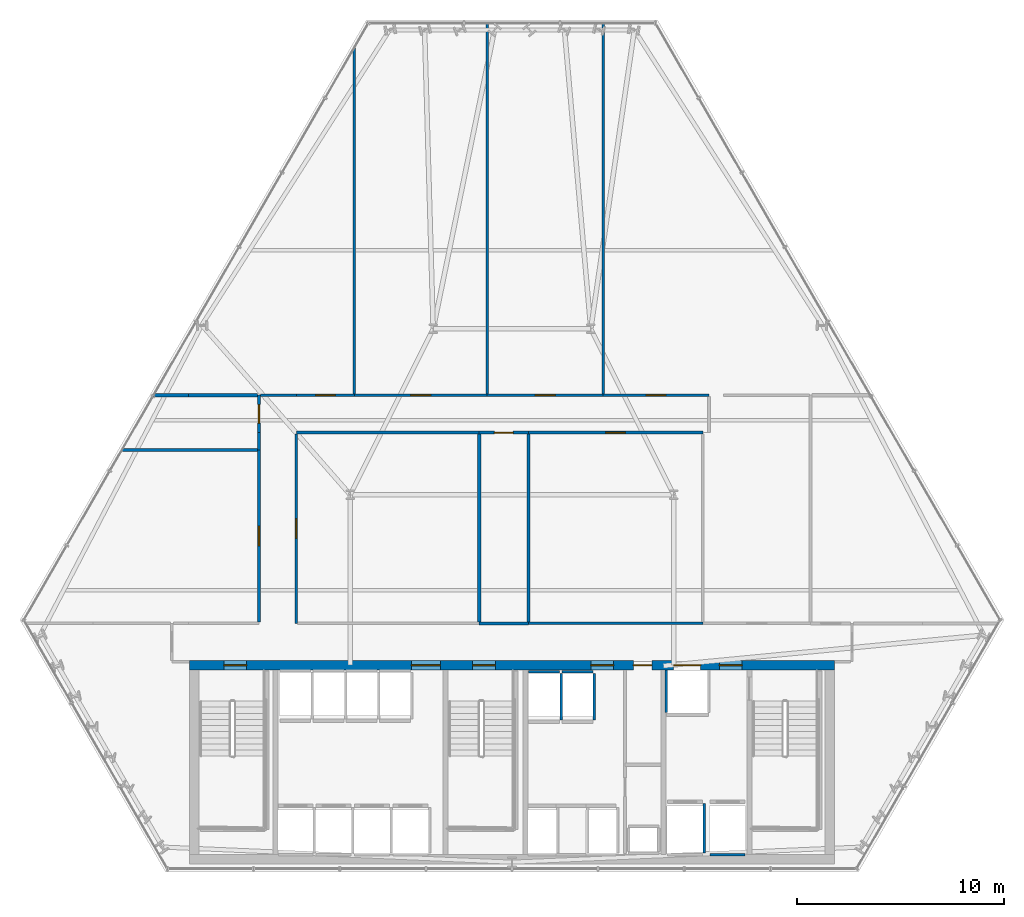
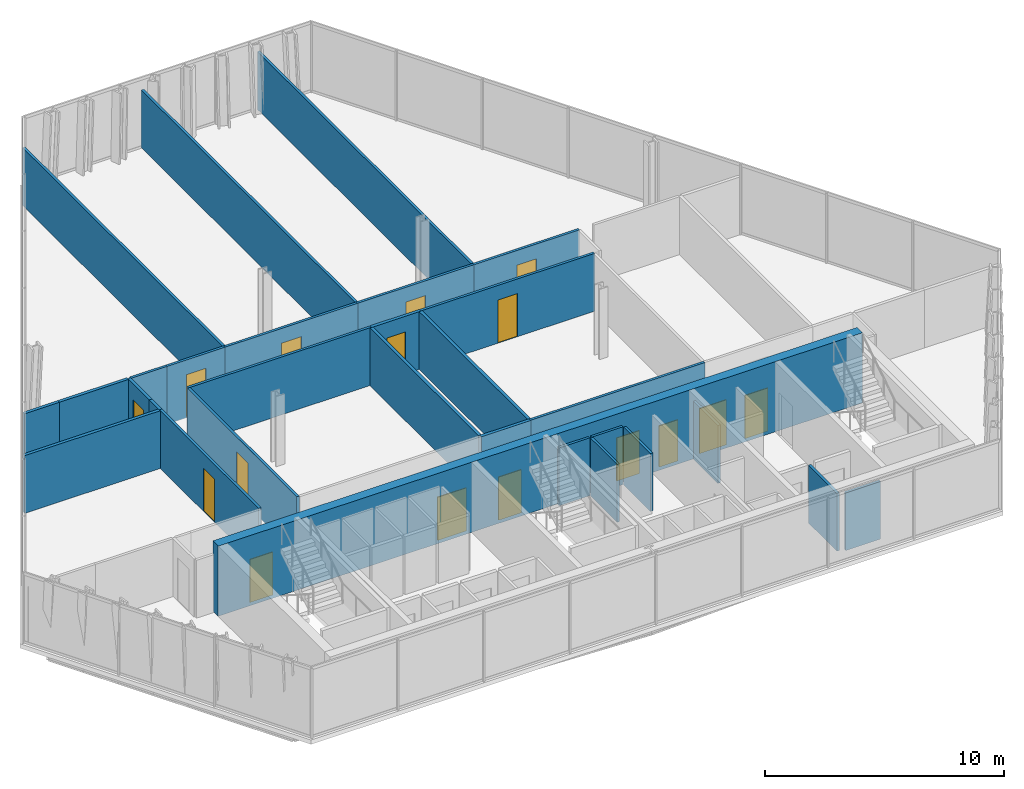
# One storey, part 28 of 32: 30 walls, 16 doors, 16 openings.
"""IFC4 building model written with IfcOpenShell, lengths in metres."""

from ifc_helpers import new_model, si_unit, direction, frame, frame_2d, origin, place, context, subcontext, project, spatial, rectangle, extrude, material, layer, layer_set, type_object, element, fill, save


model = new_model("IFC4")

# Units and contexts
model_context = context("Model", 3, precision=1e-05, world=origin(), true_north=direction((0.0, 1.0)))
body_context = subcontext(model_context, "Body", "Model", "MODEL_VIEW")
ifc_project = project(units=[si_unit("LENGTHUNIT", "METRE"), si_unit("AREAUNIT", "SQUARE_METRE"), si_unit("VOLUMEUNIT", "CUBIC_METRE"), si_unit("PLANEANGLEUNIT", "RADIAN"), si_unit("MASSUNIT", "GRAM", prefix="KILO")], contexts=[model_context])

# Site, building, storey
site_placement = place(None, origin())
site = spatial("IfcSite", under=ifc_project, at=site_placement, CompositionType="ELEMENT")
building_placement = place(site_placement, origin())
building = spatial("IfcBuilding", under=site, at=building_placement, Name="Ndaravel Arena Tower", CompositionType="ELEMENT")
storey_placement = place(building_placement, frame((0.0, 0.0, 96.800048828125)))
storey = spatial("IfcBuildingStorey", under=building, at=storey_placement, Name="L22", CompositionType="ELEMENT", Elevation=96.800048828125)

# Wall, openings, doors
ifc_material_1 = material(Name="Concrete C60/75", Category="concrete")
ifc_layer_1 = layer(ifc_material_1, 0.449951171875)
ifc_layer_set_1 = layer_set([ifc_layer_1], Name="Concrete C60/75")
wall_type_1 = type_object("IfcWallType", Name="WALL-CORE-450", PredefinedType="SOLIDWALL", material=ifc_layer_set_1)
wall_1_placement = place(storey_placement, frame((26.449951171875, 14.97509765625, 0.0), z_axis=(0.0, 0.0, 1.0), x_axis=(1.0, 0.0, 0.0)))
wall_1 = element("IfcWall", 1, at=wall_1_placement, inside=storey, type_object=wall_type_1, Name="L22 Core North Shear Wall", PredefinedType="SOLIDWALL", context=body_context, shape_type="SweptSolid", body=[
    extrude(rectangle(XDim=31.10009765625, YDim=0.449951171875, at=frame_2d((15.550048828125, 0.0))), origin(), (0.0, 0.0, 1.0), 3.579833984375),
])
opening_1_placement = place(wall_1_placement, frame((1.64990234375, 0.0, 0.0)))
opening_1 = element("IfcOpeningElement", 2, at=opening_1_placement, cuts=wall_1, Name="Opening FD-01", PredefinedType="OPENING", context=body_context, shape_type="SweptSolid", body=[
    extrude(rectangle(XDim=1.10009765625, YDim=2.199951171875, at=frame_2d((0.550048828125, 1.10009765625))), frame((0.0, 0.22509765625, 0.0), z_axis=(0.0, -1.0, 0.0), x_axis=(1.0, 0.0, 0.0)), (0.0, 0.0, 1.0), 0.449951171875),
])
opening_2_placement = place(wall_1_placement, frame((13.64990234375, 0.0, 0.0)))
opening_2 = element("IfcOpeningElement", 3, at=opening_2_placement, cuts=wall_1, Name="Opening FD-01", PredefinedType="OPENING", context=body_context, shape_type="SweptSolid", body=[
    extrude(rectangle(XDim=1.10009765625, YDim=2.199951171875, at=frame_2d((0.550048828125, 1.10009765625))), frame((0.0, 0.22509765625, 0.0), z_axis=(0.0, -1.0, 0.0), x_axis=(1.0, 0.0, 0.0)), (0.0, 0.0, 1.0), 0.449951171875),
])
opening_3_placement = place(wall_1_placement, frame((25.550048828125, 0.0, 0.0)))
opening_3 = element("IfcOpeningElement", 4, at=opening_3_placement, cuts=wall_1, Name="Opening FD-01", PredefinedType="OPENING", context=body_context, shape_type="SweptSolid", body=[
    extrude(rectangle(XDim=1.10009765625, YDim=2.199951171875, at=frame_2d((0.550048828125, 1.10009765625))), frame((0.0, 0.22509765625, 0.0), z_axis=(0.0, -1.0, 0.0), x_axis=(1.0, 0.0, 0.0)), (0.0, 0.0, 1.0), 0.449951171875),
])
opening_4_placement = place(wall_1_placement, frame((10.699951171875, 0.0, 0.0)))
opening_4 = element("IfcOpeningElement", 5, at=opening_4_placement, cuts=wall_1, Name="Opening ID-02", PredefinedType="OPENING", context=body_context, shape_type="SweptSolid", body=[
    extrude(rectangle(XDim=1.39990234375, YDim=2.199951171875, at=frame_2d((0.699951171875, 1.10009765625))), frame((0.0, 0.22509765625, 0.0), z_axis=(0.0, -1.0, 0.0), x_axis=(1.0, 0.0, 0.0)), (0.0, 0.0, 1.0), 0.449951171875),
])
opening_5_placement = place(wall_1_placement, frame((19.35009765625, 0.0, 0.0)))
opening_5 = element("IfcOpeningElement", 6, at=opening_5_placement, cuts=wall_1, Name="Opening FD-01", PredefinedType="OPENING", context=body_context, shape_type="SweptSolid", body=[
    extrude(rectangle(XDim=1.10009765625, YDim=2.199951171875, at=frame_2d((0.550048828125, 1.10009765625))), frame((0.0, 0.22509765625, 0.0), z_axis=(0.0, -1.0, 0.0), x_axis=(1.0, 0.0, 0.0)), (0.0, 0.0, 1.0), 0.449951171875),
])
opening_6_placement = place(wall_1_placement, frame((21.39990234375, 0.0, 0.0)))
opening_6 = element("IfcOpeningElement", 7, at=opening_6_placement, cuts=wall_1, Name="Opening RD-01", PredefinedType="OPENING", context=body_context, shape_type="SweptSolid", body=[
    extrude(rectangle(XDim=0.89990234375, YDim=2.10009765625, at=frame_2d((0.449951171875, 1.050048828125))), frame((0.0, 0.22509765625, 0.0), z_axis=(0.0, -1.0, 0.0), x_axis=(1.0, 0.0, 0.0)), (0.0, 0.0, 1.0), 0.449951171875),
])
opening_7_placement = place(wall_1_placement, frame((23.35009765625, 0.0, 0.0)))
opening_7 = element("IfcOpeningElement", 8, at=opening_7_placement, cuts=wall_1, Name="Opening LD-02", PredefinedType="OPENING", context=body_context, shape_type="SweptSolid", body=[
    extrude(rectangle(XDim=1.300048828125, YDim=2.300048828125, at=frame_2d((0.64990234375, 1.14990234375))), frame((0.0, 0.22509765625, 0.0), z_axis=(0.0, -1.0, 0.0), x_axis=(1.0, 0.0, 0.0)), (0.0, 0.0, 1.0), 0.449951171875),
])
ifc_material_2 = material(Name="Steel S355", Category="steel")
door_type_1 = type_object("IfcDoorType", Name="DT-01-STAIR-1100", OperationType="SINGLE_SWING_LEFT", PredefinedType="DOOR", material=ifc_material_2)
door_1_placement = place(opening_1_placement, origin())
door_1 = element("IfcDoor", 9, at=door_1_placement, inside=storey, type_object=door_type_1, Name="L22 Exit Stair ST-1 Door", OperationType="SINGLE_SWING_LEFT", OverallHeight=2.199951171875, OverallWidth=1.10009765625, PredefinedType="DOOR", context=body_context, shape_type="SweptSolid", body=[
    extrude(rectangle(XDim=1.10009765625, YDim=2.199951171875, at=frame_2d((0.550048828125, 1.10009765625))), frame((0.0, 0.02490234375, 0.0), z_axis=(0.0, -1.0, 0.0), x_axis=(1.0, 0.0, 0.0)), (0.0, 0.0, 1.0), 0.050048828125),
])
fill(opening_1, door_1)
door_2_placement = place(opening_2_placement, origin())
door_2 = element("IfcDoor", 10, at=door_2_placement, inside=storey, type_object=door_type_1, Name="L22 Exit Stair ST-2 Door", OperationType="SINGLE_SWING_RIGHT", OverallHeight=2.199951171875, OverallWidth=1.10009765625, PredefinedType="DOOR", context=body_context, shape_type="SweptSolid", body=[
    extrude(rectangle(XDim=1.10009765625, YDim=2.199951171875, at=frame_2d((0.550048828125, 1.10009765625))), frame((0.0, 0.02490234375, 0.0), z_axis=(0.0, -1.0, 0.0), x_axis=(1.0, 0.0, 0.0)), (0.0, 0.0, 1.0), 0.050048828125),
])
fill(opening_2, door_2)
door_3_placement = place(opening_3_placement, origin())
door_3 = element("IfcDoor", 11, at=door_3_placement, inside=storey, type_object=door_type_1, Name="L22 Firefighting Lift Lobby Door", OperationType="SINGLE_SWING_RIGHT", OverallHeight=2.199951171875, OverallWidth=1.10009765625, PredefinedType="DOOR", context=body_context, shape_type="SweptSolid", body=[
    extrude(rectangle(XDim=1.10009765625, YDim=2.199951171875, at=frame_2d((0.550048828125, 1.10009765625))), frame((0.0, 0.02490234375, 0.0), z_axis=(0.0, -1.0, 0.0), x_axis=(1.0, 0.0, 0.0)), (0.0, 0.0, 1.0), 0.050048828125),
])
fill(opening_3, door_3)
door_4_placement = place(opening_5_placement, origin())
door_4 = element("IfcDoor", 12, at=door_4_placement, inside=storey, type_object=door_type_1, Name="L22 Express Lift Lobby Entry Door", OperationType="SINGLE_SWING_LEFT", OverallHeight=2.199951171875, OverallWidth=1.10009765625, PredefinedType="DOOR", context=body_context, shape_type="SweptSolid", body=[
    extrude(rectangle(XDim=1.10009765625, YDim=2.199951171875, at=frame_2d((0.550048828125, 1.10009765625))), frame((0.0, 0.02490234375, 0.0), z_axis=(0.0, -1.0, 0.0), x_axis=(1.0, 0.0, 0.0)), (0.0, 0.0, 1.0), 0.050048828125),
])
fill(opening_5, door_4)
ifc_material_3 = material(Name="Timber", Category="wood")
door_type_2 = type_object("IfcDoorType", Name="DT-04-SUITE-1400", OperationType="DOUBLE_DOOR_SINGLE_SWING", PredefinedType="DOOR", material=ifc_material_3)
door_5_placement = place(opening_4_placement, origin())
door_5 = element("IfcDoor", 13, at=door_5_placement, inside=storey, type_object=door_type_2, Name="L22 West Lift Lobby Entry Door", OperationType="DOUBLE_DOOR_SINGLE_SWING", OverallHeight=2.199951171875, OverallWidth=1.39990234375, PredefinedType="DOOR", context=body_context, shape_type="SweptSolid", body=[
    extrude(rectangle(XDim=1.39990234375, YDim=2.199951171875, at=frame_2d((0.699951171875, 1.10009765625))), frame((0.0, 0.02490234375, 0.0), z_axis=(0.0, -1.0, 0.0), x_axis=(1.0, 0.0, 0.0)), (0.0, 0.0, 1.0), 0.050048828125),
])
fill(opening_4, door_5)
ifc_material_4 = material(Name="Steel S355", Category="steel")
door_type_3 = type_object("IfcDoorType", Name="DT-07-SVLIFT-1300", OperationType="DOUBLE_DOOR_SLIDING", PredefinedType="DOOR", material=ifc_material_4)
door_6_placement = place(opening_7_placement, origin())
door_6 = element("IfcDoor", 14, at=door_6_placement, inside=storey, type_object=door_type_3, Name="L22 Lift SVL-1 Sliding Landing Door", OperationType="DOUBLE_DOOR_SLIDING", OverallHeight=2.300048828125, OverallWidth=1.300048828125, PredefinedType="DOOR", context=body_context, shape_type="SweptSolid", body=[
    extrude(rectangle(XDim=1.300048828125, YDim=2.300048828125, at=frame_2d((0.64990234375, 1.14990234375))), frame((0.0, 0.02490234375, 0.0), z_axis=(0.0, -1.0, 0.0), x_axis=(1.0, 0.0, 0.0)), (0.0, 0.0, 1.0), 0.050048828125),
])
fill(opening_7, door_6)
ifc_material_5 = material(Name="Steel S355", Category="steel")
door_type_4 = type_object("IfcDoorType", Name="DT-08-RISER-900", OperationType="SINGLE_SWING_LEFT", PredefinedType="DOOR", material=ifc_material_5)
door_7_placement = place(opening_6_placement, origin())
door_7 = element("IfcDoor", 15, at=door_7_placement, inside=storey, type_object=door_type_4, Name="L22 Core Service Riser North Door", OperationType="SINGLE_SWING_LEFT", OverallHeight=2.10009765625, OverallWidth=0.89990234375, PredefinedType="DOOR", context=body_context, shape_type="SweptSolid", body=[
    extrude(rectangle(XDim=0.89990234375, YDim=2.10009765625, at=frame_2d((0.449951171875, 1.050048828125))), frame((0.0, 0.02490234375, 0.0), z_axis=(0.0, -1.0, 0.0), x_axis=(1.0, 0.0, 0.0)), (0.0, 0.0, 1.0), 0.050048828125),
])
fill(opening_6, door_7)

# Wall, opening, door
ifc_material_6 = material(Name="Gypsum", Category="gypsum")
ifc_layer_2 = layer(ifc_material_6, 0.125)
ifc_layer_set_2 = layer_set([ifc_layer_2], Name="Gypsum")
wall_type_2 = type_object("IfcWallType", Name="WALL-PART-125", PredefinedType="PARTITIONING", material=ifc_layer_set_2)
wall_2_placement = place(storey_placement, frame((29.800048828125, 17.06494140625, 0.0), z_axis=(0.0, 0.0, 1.0), x_axis=(0.0, 1.0, 0.0)))
wall_2 = element("IfcWall", 16, at=wall_2_placement, inside=storey, type_object=wall_type_2, Name="L22 Interior Partition 007", PredefinedType="PARTITIONING", context=body_context, shape_type="SweptSolid", body=[
    extrude(rectangle(XDim=8.295166015625, YDim=0.125, at=frame_2d((4.1474609375, 0.0))), origin(), (0.0, 0.0, 1.0), 2.949951171875),
])
opening_8_placement = place(wall_2_placement, frame((3.672607421875, 0.0, 0.0)))
opening_8 = element("IfcOpeningElement", 17, at=opening_8_placement, cuts=wall_2, Name="Opening ID-01", PredefinedType="OPENING", context=body_context, shape_type="SweptSolid", body=[
    extrude(rectangle(XDim=0.949951171875, YDim=2.199951171875, at=frame_2d((0.47509765625, 1.10009765625))), frame((0.0, 0.0625, 0.0), z_axis=(0.0, -1.0, 0.0), x_axis=(1.0, 0.0, 0.0)), (0.0, 0.0, 1.0), 0.125),
])
ifc_material_7 = material(Name="Timber", Category="wood")
door_type_5 = type_object("IfcDoorType", Name="DT-03-OFFICE-950", OperationType="SINGLE_SWING_LEFT", PredefinedType="DOOR", material=ifc_material_7)
door_8_placement = place(opening_8_placement, origin())
door_8 = element("IfcDoor", 18, at=door_8_placement, inside=storey, type_object=door_type_5, Name="L22 Floor Security Control Room Door", OperationType="SINGLE_SWING_LEFT", OverallHeight=2.199951171875, OverallWidth=0.949951171875, PredefinedType="DOOR", context=body_context, shape_type="SweptSolid", body=[
    extrude(rectangle(XDim=0.949951171875, YDim=2.199951171875, at=frame_2d((0.47509765625, 1.10009765625))), frame((0.0, 0.02490234375, 0.0), z_axis=(0.0, -1.0, 0.0), x_axis=(1.0, 0.0, 0.0)), (0.0, 0.0, 1.0), 0.050048828125),
])
fill(opening_8, door_8)

# Wall
wall_3_placement = place(storey_placement, frame((29.864990234375, 28.0, 0.0), z_axis=(0.0, 0.0, 1.0), x_axis=(1.0, 0.0, 0.0)))
element("IfcWall", 19, at=wall_3_placement, inside=storey, type_object=wall_type_2, Name="L22 Interior Partition 010", PredefinedType="PARTITIONING", context=body_context, shape_type="SweptSolid", body=[
    extrude(rectangle(XDim=1.735107421875, YDim=0.125, at=frame_2d((0.86767578125, 0.0))), origin(), (0.0, 0.0, 1.0), 2.949951171875),
])

# Wall, opening, door
wall_4_placement = place(storey_placement, frame((31.60009765625, 28.0, 0.0), z_axis=(0.0, 0.0, 1.0), x_axis=(1.0, 0.0, 0.0)))
wall_4 = element("IfcWall", 20, at=wall_4_placement, inside=storey, type_object=wall_type_2, Name="L22 Interior Partition 011", PredefinedType="PARTITIONING", context=body_context, shape_type="SweptSolid", body=[
    extrude(rectangle(XDim=2.7998046875, YDim=0.125, at=frame_2d((1.39990234375, 0.0))), origin(), (0.0, 0.0, 1.0), 2.949951171875),
])
opening_9_placement = place(wall_4_placement, frame((0.925048828125, 0.0, 0.0)))
opening_9 = element("IfcOpeningElement", 21, at=opening_9_placement, cuts=wall_4, Name="Opening ID-01", PredefinedType="OPENING", context=body_context, shape_type="SweptSolid", body=[
    extrude(rectangle(XDim=0.949951171875, YDim=2.199951171875, at=frame_2d((0.47509765625, 1.10009765625))), frame((0.0, 0.0625, 0.0), z_axis=(0.0, -1.0, 0.0), x_axis=(1.0, 0.0, 0.0)), (0.0, 0.0, 1.0), 0.125),
])
door_9_placement = place(opening_9_placement, origin())
door_9 = element("IfcDoor", 22, at=door_9_placement, inside=storey, type_object=door_type_5, Name="L22 Medical First Aid Clinic 3 Door", OperationType="SINGLE_SWING_RIGHT", OverallHeight=2.199951171875, OverallWidth=0.949951171875, PredefinedType="DOOR", context=body_context, shape_type="SweptSolid", body=[
    extrude(rectangle(XDim=0.949951171875, YDim=2.199951171875, at=frame_2d((0.47509765625, 1.10009765625))), frame((0.0, 0.02490234375, 0.0), z_axis=(0.0, -1.0, 0.0), x_axis=(1.0, 0.0, 0.0)), (0.0, 0.0, 1.0), 0.050048828125),
])
fill(opening_9, door_9)

wall_5_placement = place(storey_placement, frame((34.39990234375, 28.0, 0.0), z_axis=(0.0, 0.0, 1.0), x_axis=(1.0, 0.0, 0.0)))
wall_5 = element("IfcWall", 23, at=wall_5_placement, inside=storey, type_object=wall_type_2, Name="L22 Interior Partition 012", PredefinedType="PARTITIONING", context=body_context, shape_type="SweptSolid", body=[
    extrude(rectangle(XDim=6.400146484375, YDim=0.125, at=frame_2d((3.2001953125, 0.0))), origin(), (0.0, 0.0, 1.0), 2.949951171875),
])
opening_10_placement = place(wall_5_placement, frame((2.72509765625, 0.0, 0.0)))
opening_10 = element("IfcOpeningElement", 24, at=opening_10_placement, cuts=wall_5, Name="Opening ID-01", PredefinedType="OPENING", context=body_context, shape_type="SweptSolid", body=[
    extrude(rectangle(XDim=0.949951171875, YDim=2.199951171875, at=frame_2d((0.47509765625, 1.10009765625))), frame((0.0, 0.0625, 0.0), z_axis=(0.0, -1.0, 0.0), x_axis=(1.0, 0.0, 0.0)), (0.0, 0.0, 1.0), 0.125),
])
door_10_placement = place(opening_10_placement, origin())
door_10 = element("IfcDoor", 25, at=door_10_placement, inside=storey, type_object=door_type_5, Name="L22 Physio Therapy Room 4 Door", OperationType="SINGLE_SWING_RIGHT", OverallHeight=2.199951171875, OverallWidth=0.949951171875, PredefinedType="DOOR", context=body_context, shape_type="SweptSolid", body=[
    extrude(rectangle(XDim=0.949951171875, YDim=2.199951171875, at=frame_2d((0.47509765625, 1.10009765625))), frame((0.0, 0.02490234375, 0.0), z_axis=(0.0, -1.0, 0.0), x_axis=(1.0, 0.0, 0.0)), (0.0, 0.0, 1.0), 0.050048828125),
])
fill(opening_10, door_10)

wall_6_placement = place(storey_placement, frame((40.800048828125, 28.0, 0.0), z_axis=(0.0, 0.0, 1.0), x_axis=(1.0, 0.0, 0.0)))
wall_6 = element("IfcWall", 26, at=wall_6_placement, inside=storey, type_object=wall_type_2, Name="L22 Interior Partition 013", PredefinedType="PARTITIONING", context=body_context, shape_type="SweptSolid", body=[
    extrude(rectangle(XDim=5.599853515625, YDim=0.125, at=frame_2d((2.7998046875, 0.0))), origin(), (0.0, 0.0, 1.0), 2.949951171875),
])
opening_11_placement = place(wall_6_placement, frame((2.324951171875, 0.0, 0.0)))
opening_11 = element("IfcOpeningElement", 27, at=opening_11_placement, cuts=wall_6, Name="Opening ID-01", PredefinedType="OPENING", context=body_context, shape_type="SweptSolid", body=[
    extrude(rectangle(XDim=0.949951171875, YDim=2.199951171875, at=frame_2d((0.47509765625, 1.10009765625))), frame((0.0, 0.0625, 0.0), z_axis=(0.0, -1.0, 0.0), x_axis=(1.0, 0.0, 0.0)), (0.0, 0.0, 1.0), 0.125),
])
door_11_placement = place(opening_11_placement, origin())
door_11 = element("IfcDoor", 28, at=door_11_placement, inside=storey, type_object=door_type_5, Name="L22 Open Plan Workplace 5 Door", OperationType="SINGLE_SWING_LEFT", OverallHeight=2.199951171875, OverallWidth=0.949951171875, PredefinedType="DOOR", context=body_context, shape_type="SweptSolid", body=[
    extrude(rectangle(XDim=0.949951171875, YDim=2.199951171875, at=frame_2d((0.47509765625, 1.10009765625))), frame((0.0, 0.02490234375, 0.0), z_axis=(0.0, -1.0, 0.0), x_axis=(1.0, 0.0, 0.0)), (0.0, 0.0, 1.0), 0.050048828125),
])
fill(opening_11, door_11)

wall_7_placement = place(storey_placement, frame((46.39990234375, 28.0, 0.0), z_axis=(0.0, 0.0, 1.0), x_axis=(1.0, 0.0, 0.0)))
wall_7 = element("IfcWall", 29, at=wall_7_placement, inside=storey, type_object=wall_type_2, Name="L22 Interior Partition 014", PredefinedType="PARTITIONING", context=body_context, shape_type="SweptSolid", body=[
    extrude(rectangle(XDim=5.10009765625, YDim=0.125, at=frame_2d((2.550048828125, 0.0))), origin(), (0.0, 0.0, 1.0), 2.949951171875),
])
opening_12_placement = place(wall_7_placement, frame((2.074951171875, 0.0, 0.0)))
opening_12 = element("IfcOpeningElement", 30, at=opening_12_placement, cuts=wall_7, Name="Opening ID-01", PredefinedType="OPENING", context=body_context, shape_type="SweptSolid", body=[
    extrude(rectangle(XDim=0.949951171875, YDim=2.199951171875, at=frame_2d((0.47509765625, 1.10009765625))), frame((0.0, 0.0625, 0.0), z_axis=(0.0, -1.0, 0.0), x_axis=(1.0, 0.0, 0.0)), (0.0, 0.0, 1.0), 0.125),
])
door_12_placement = place(opening_12_placement, origin())
door_12 = element("IfcDoor", 31, at=door_12_placement, inside=storey, type_object=door_type_5, Name="L22 Executive Corner Office 4 Door", OperationType="SINGLE_SWING_LEFT", OverallHeight=2.199951171875, OverallWidth=0.949951171875, PredefinedType="DOOR", context=body_context, shape_type="SweptSolid", body=[
    extrude(rectangle(XDim=0.949951171875, YDim=2.199951171875, at=frame_2d((0.47509765625, 1.10009765625))), frame((0.0, 0.02490234375, 0.0), z_axis=(0.0, -1.0, 0.0), x_axis=(1.0, 0.0, 0.0)), (0.0, 0.0, 1.0), 0.050048828125),
])
fill(opening_12, door_12)

wall_8_placement = place(storey_placement, frame((51.199951171875, 26.199951171875, 0.0), z_axis=(0.0, 0.0, 1.0), x_axis=(-1.0, 0.0, 0.0)))
wall_8 = element("IfcWall", 32, at=wall_8_placement, inside=storey, type_object=wall_type_2, Name="L22 Interior Partition 016", PredefinedType="PARTITIONING", context=body_context, shape_type="SweptSolid", body=[
    extrude(rectangle(XDim=8.408447265625, YDim=0.125, at=frame_2d((4.2041015625, 0.0))), origin(), (0.0, 0.0, 1.0), 2.949951171875),
])
opening_13_placement = place(wall_8_placement, frame((3.729248046875, 0.0, 0.0)))
opening_13 = element("IfcOpeningElement", 33, at=opening_13_placement, cuts=wall_8, Name="Opening ID-01", PredefinedType="OPENING", context=body_context, shape_type="SweptSolid", body=[
    extrude(rectangle(XDim=0.949951171875, YDim=2.199951171875, at=frame_2d((0.47509765625, 1.10009765625))), frame((0.0, 0.0625, 0.0), z_axis=(0.0, -1.0, 0.0), x_axis=(1.0, 0.0, 0.0)), (0.0, 0.0, 1.0), 0.125),
])
door_13_placement = place(opening_13_placement, origin())
door_13 = element("IfcDoor", 34, at=door_13_placement, inside=storey, type_object=door_type_5, Name="L22 Advisory Desk Office 3 Door", OperationType="SINGLE_SWING_LEFT", OverallHeight=2.199951171875, OverallWidth=0.949951171875, PredefinedType="DOOR", context=body_context, shape_type="SweptSolid", body=[
    extrude(rectangle(XDim=0.949951171875, YDim=2.199951171875, at=frame_2d((0.47509765625, 1.10009765625))), frame((0.0, 0.02490234375, 0.0), z_axis=(0.0, -1.0, 0.0), x_axis=(1.0, 0.0, 0.0)), (0.0, 0.0, 1.0), 0.050048828125),
])
fill(opening_13, door_13)

# Wall
wall_9_placement = place(storey_placement, frame((40.419921875, 26.199951171875, 0.0), z_axis=(0.0, 0.0, 1.0), x_axis=(-1.0, 0.0, 0.0)))
element("IfcWall", 35, at=wall_9_placement, inside=storey, type_object=wall_type_2, Name="L22 Interior Partition 018", PredefinedType="PARTITIONING", context=body_context, shape_type="SweptSolid", body=[
    extrude(rectangle(XDim=8.81982421875, YDim=0.125, at=frame_2d((4.409912109375, 0.0))), origin(), (0.0, 0.0, 1.0), 2.949951171875),
])

# Wall, opening, door
wall_10_placement = place(storey_placement, frame((31.60009765625, 26.135009765625, 0.0), z_axis=(0.0, 0.0, 1.0), x_axis=(0.0, -1.0, 0.0)))
wall_10 = element("IfcWall", 36, at=wall_10_placement, inside=storey, type_object=wall_type_2, Name="L22 Interior Partition 019", PredefinedType="PARTITIONING", context=body_context, shape_type="SweptSolid", body=[
    extrude(rectangle(XDim=9.135009765625, YDim=0.125, at=frame_2d((4.5673828125, 0.0))), origin(), (0.0, 0.0, 1.0), 2.949951171875),
])
opening_14_placement = place(wall_10_placement, frame((4.092529296875, 0.0, 0.0)))
opening_14 = element("IfcOpeningElement", 37, at=opening_14_placement, cuts=wall_10, Name="Opening ID-01", PredefinedType="OPENING", context=body_context, shape_type="SweptSolid", body=[
    extrude(rectangle(XDim=0.949951171875, YDim=2.199951171875, at=frame_2d((0.47509765625, 1.10009765625))), frame((0.0, 0.0625, 0.0), z_axis=(0.0, -1.0, 0.0), x_axis=(1.0, 0.0, 0.0)), (0.0, 0.0, 1.0), 0.125),
])
door_14_placement = place(opening_14_placement, origin())
door_14 = element("IfcDoor", 38, at=door_14_placement, inside=storey, type_object=door_type_5, Name="L22 Cellular Partner Office 2 Door", OperationType="SINGLE_SWING_LEFT", OverallHeight=2.199951171875, OverallWidth=0.949951171875, PredefinedType="DOOR", context=body_context, shape_type="SweptSolid", body=[
    extrude(rectangle(XDim=0.949951171875, YDim=2.199951171875, at=frame_2d((0.47509765625, 1.10009765625))), frame((0.0, 0.02490234375, 0.0), z_axis=(0.0, -1.0, 0.0), x_axis=(1.0, 0.0, 0.0)), (0.0, 0.0, 1.0), 0.050048828125),
])
fill(opening_14, door_14)

# Walls
wall_11_placement = place(storey_placement, frame((42.79150390625, 17.0, 0.0), z_axis=(0.0, 0.0, 1.0), x_axis=(1.0, 0.0, 0.0)))
element("IfcWall", 39, at=wall_11_placement, inside=storey, type_object=wall_type_2, Name="L22 Interior Partition 022", PredefinedType="PARTITIONING", context=body_context, shape_type="SweptSolid", body=[
    extrude(rectangle(XDim=8.408447265625, YDim=0.125, at=frame_2d((4.2041015625, 0.0))), origin(), (0.0, 0.0, 1.0), 2.949951171875),
])
wall_12_placement = place(storey_placement, frame((34.39990234375, 44.771240234375, 0.0), z_axis=(0.0, 0.0, 1.0), x_axis=(0.0, -1.0, 0.0)))
element("IfcWall", 40, at=wall_12_placement, inside=storey, type_object=wall_type_2, Name="L22 Interior Partition 038", PredefinedType="PARTITIONING", context=body_context, shape_type="SweptSolid", body=[
    extrude(rectangle(XDim=16.706298828125, YDim=0.125, at=frame_2d((8.35302734375, 0.0))), origin(), (0.0, 0.0, 1.0), 2.949951171875),
])
for number, where, z_axis, x_axis, name in (
    (41, (46.39990234375, 28.06494140625, 0.0), (0.0, 0.0, 1.0), (0.0, 1.0, 0.0), "L22 Interior Partition 039"),
    (42, (40.800048828125, 45.93408203125, 0.0), (0.0, 0.0, 1.0), (0.0, -1.0, 0.0), "L22 Interior Partition 040"),
):
    element("IfcWall", number, at=place(storey_placement, frame(where, z_axis=z_axis, x_axis=x_axis)), inside=storey, type_object=wall_type_2, Name=name, PredefinedType="PARTITIONING", context=body_context, shape_type="SweptSolid", body=[
        extrude(rectangle(XDim=17.869140625, YDim=0.125, at=frame_2d((8.9345703125, 0.0))), origin(), (0.0, 0.0, 1.0), 2.949951171875),
    ])
ifc_material_8 = material(Name="Concrete C40/50", Category="concrete")
ifc_layer_3 = layer(ifc_material_8, 0.1201171875)
ifc_layer_set_3 = layer_set([ifc_layer_3], Name="Concrete C40/50")
wall_type_3 = type_object("IfcWallType", Name="WALL-SHAFT-120", PredefinedType="SOLIDWALL", material=ifc_layer_set_3)
wall_13_placement = place(storey_placement, frame((42.804931640625, 14.659912109375, 0.0), z_axis=(0.0, 0.0, 1.0), x_axis=(1.0, 0.0, 0.0)))
element("IfcWall", 43, at=wall_13_placement, inside=storey, type_object=wall_type_3, Name="L22 PL-OBS1 Shaft Rear Wall", PredefinedType="SOLIDWALL", context=body_context, shape_type="SweptSolid", body=[
    extrude(rectangle(XDim=1.489990234375, YDim=0.1201171875, at=frame_2d((0.7451171875, 0.0))), origin(), (0.0, 0.0, 1.0), 2.949951171875),
])
wall_14_placement = place(storey_placement, frame((44.375, 12.340087890625, 0.0), z_axis=(0.0, 0.0, 1.0), x_axis=(0.0, 1.0, 0.0)))
element("IfcWall", 44, at=wall_14_placement, inside=storey, type_object=wall_type_3, Name="L22 PL-OBS1 Shaft Side R Wall", PredefinedType="SOLIDWALL", context=body_context, shape_type="SweptSolid", body=[
    extrude(rectangle(XDim=2.22998046875, YDim=0.1201171875, at=frame_2d((1.114990234375, 0.0))), origin(), (0.0, 0.0, 1.0), 2.949951171875),
])
wall_15_placement = place(storey_placement, frame((44.405029296875, 14.659912109375, 0.0), z_axis=(0.0, 0.0, 1.0), x_axis=(1.0, 0.0, 0.0)))
element("IfcWall", 45, at=wall_15_placement, inside=storey, type_object=wall_type_3, Name="L22 PL-OBS2 Shaft Rear Wall", PredefinedType="SOLIDWALL", context=body_context, shape_type="SweptSolid", body=[
    extrude(rectangle(XDim=1.489990234375, YDim=0.1201171875, at=frame_2d((0.7451171875, 0.0))), origin(), (0.0, 0.0, 1.0), 2.949951171875),
])
wall_16_placement = place(storey_placement, frame((45.97509765625, 12.340087890625, 0.0), z_axis=(0.0, 0.0, 1.0), x_axis=(0.0, 1.0, 0.0)))
element("IfcWall", 46, at=wall_16_placement, inside=storey, type_object=wall_type_3, Name="L22 PL-OBS2 Shaft Side R Wall", PredefinedType="SOLIDWALL", context=body_context, shape_type="SweptSolid", body=[
    extrude(rectangle(XDim=2.22998046875, YDim=0.1201171875, at=frame_2d((1.114990234375, 0.0))), origin(), (0.0, 0.0, 1.0), 2.949951171875),
])
wall_17_placement = place(storey_placement, frame((51.27490234375, 5.929931640625, 0.0), z_axis=(0.0, 0.0, 1.0), x_axis=(0.0, 1.0, 0.0)))
element("IfcWall", 47, at=wall_17_placement, inside=storey, type_object=wall_type_3, Name="L22 FFL-1 Shaft Side R Wall", PredefinedType="SOLIDWALL", context=body_context, shape_type="SweptSolid", body=[
    extrude(rectangle(XDim=2.380126953125, YDim=0.1201171875, at=frame_2d((1.18994140625, 0.0))), origin(), (0.0, 0.0, 1.0), 2.949951171875),
])
wall_18_placement = place(storey_placement, frame((51.554931640625, 5.840087890625, 0.0), z_axis=(0.0, 0.0, 1.0), x_axis=(1.0, 0.0, 0.0)))
element("IfcWall", 48, at=wall_18_placement, inside=storey, type_object=wall_type_3, Name="L22 FFL-2 Shaft Rear Wall", PredefinedType="SOLIDWALL", context=body_context, shape_type="SweptSolid", body=[
    extrude(rectangle(XDim=1.690185546875, YDim=0.1201171875, at=frame_2d((0.84521484375, 0.0))), origin(), (0.0, 0.0, 1.0), 2.949951171875),
])
wall_19_placement = place(storey_placement, frame((49.43994140625, 12.68994140625, 0.0), z_axis=(0.0, 0.0, 1.0), x_axis=(0.0, 1.0, 0.0)))
element("IfcWall", 49, at=wall_19_placement, inside=storey, type_object=wall_type_3, Name="L22 SVL-1 Shaft W Wall", PredefinedType="SOLIDWALL", context=body_context, shape_type="SweptSolid", body=[
    extrude(rectangle(XDim=2.070068359375, YDim=0.1201171875, at=frame_2d((1.03515625, 0.0))), origin(), (0.0, 0.0, 1.0), 2.949951171875),
])
ifc_material_9 = material(Name="Masonry", Category="masonry")
ifc_layer_4 = layer(ifc_material_9, 0.14990234375)
ifc_layer_set_4 = layer_set([ifc_layer_4], Name="Masonry")
wall_type_4 = type_object("IfcWallType", Name="WALL-WET-150", PredefinedType="PARTITIONING", material=ifc_layer_set_4)
wall_20_placement = place(storey_placement, frame((29.800048828125, 25.360107421875, 0.0), z_axis=(0.0, 0.0, 1.0), x_axis=(0.0, 1.0, 0.0)))
element("IfcWall", 50, at=wall_20_placement, inside=storey, type_object=wall_type_4, Name="L22 Interior Partition 008", PredefinedType="PARTITIONING", context=body_context, shape_type="SweptSolid", body=[
    extrude(rectangle(XDim=0.83984375, YDim=0.14990234375, at=frame_2d((0.419921875, 0.0))), origin(), (0.0, 0.0, 1.0), 2.949951171875),
])

# Wall, opening, door
wall_21_placement = place(storey_placement, frame((29.800048828125, 26.199951171875, 0.0), z_axis=(0.0, 0.0, 1.0), x_axis=(0.0, 1.0, 0.0)))
wall_21 = element("IfcWall", 51, at=wall_21_placement, inside=storey, type_object=wall_type_4, Name="L22 Interior Partition 009", PredefinedType="PARTITIONING", context=body_context, shape_type="SweptSolid", body=[
    extrude(rectangle(XDim=1.800048828125, YDim=0.14990234375, at=frame_2d((0.89990234375, 0.0))), origin(), (0.0, 0.0, 1.0), 2.949951171875),
])
opening_15_placement = place(wall_21_placement, frame((0.449951171875, 0.0, 0.0)))
opening_15 = element("IfcOpeningElement", 52, at=opening_15_placement, cuts=wall_21, Name="Opening WD-01", PredefinedType="OPENING", context=body_context, shape_type="SweptSolid", body=[
    extrude(rectangle(XDim=0.89990234375, YDim=2.14990234375, at=frame_2d((0.449951171875, 1.074951171875))), frame((0.0, 0.074951171875, 0.0), z_axis=(0.0, -1.0, 0.0), x_axis=(1.0, 0.0, 0.0)), (0.0, 0.0, 1.0), 0.14990234375),
])
ifc_material_10 = material(Name="Timber", Category="wood")
door_type_6 = type_object("IfcDoorType", Name="DT-05-WC-900", OperationType="SINGLE_SWING_LEFT", PredefinedType="DOOR", material=ifc_material_10)
door_15_placement = place(opening_15_placement, origin())
door_15 = element("IfcDoor", 53, at=door_15_placement, inside=storey, type_object=door_type_6, Name="L22 Female & Accessible Restroom Door", OperationType="SINGLE_SWING_LEFT", OverallHeight=2.14990234375, OverallWidth=0.89990234375, PredefinedType="DOOR", context=body_context, shape_type="SweptSolid", body=[
    extrude(rectangle(XDim=0.89990234375, YDim=2.14990234375, at=frame_2d((0.449951171875, 1.074951171875))), frame((0.0, 0.02490234375, 0.0), z_axis=(0.0, -1.0, 0.0), x_axis=(1.0, 0.0, 0.0)), (0.0, 0.0, 1.0), 0.050048828125),
])
fill(opening_15, door_15)

wall_22_placement = place(storey_placement, frame((42.79150390625, 26.199951171875, 0.0), z_axis=(0.0, 0.0, 1.0), x_axis=(-1.0, 0.0, 0.0)))
wall_22 = element("IfcWall", 54, at=wall_22_placement, inside=storey, type_object=wall_type_4, Name="L22 Interior Partition 017", PredefinedType="PARTITIONING", context=body_context, shape_type="SweptSolid", body=[
    extrude(rectangle(XDim=2.37158203125, YDim=0.14990234375, at=frame_2d((1.185791015625, 0.0))), origin(), (0.0, 0.0, 1.0), 2.949951171875),
])
opening_16_placement = place(wall_22_placement, frame((0.73583984375, 0.0, 0.0)))
opening_16 = element("IfcOpeningElement", 55, at=opening_16_placement, cuts=wall_22, Name="Opening WD-01", PredefinedType="OPENING", context=body_context, shape_type="SweptSolid", body=[
    extrude(rectangle(XDim=0.89990234375, YDim=2.14990234375, at=frame_2d((0.449951171875, 1.074951171875))), frame((0.0, 0.074951171875, 0.0), z_axis=(0.0, -1.0, 0.0), x_axis=(1.0, 0.0, 0.0)), (0.0, 0.0, 1.0), 0.14990234375),
])
door_16_placement = place(opening_16_placement, origin())
door_16 = element("IfcDoor", 56, at=door_16_placement, inside=storey, type_object=door_type_6, Name="L22 Male Staff & Visitor Restroom Door", OperationType="SINGLE_SWING_RIGHT", OverallHeight=2.14990234375, OverallWidth=0.89990234375, PredefinedType="DOOR", context=body_context, shape_type="SweptSolid", body=[
    extrude(rectangle(XDim=0.89990234375, YDim=2.14990234375, at=frame_2d((0.449951171875, 1.074951171875))), frame((0.0, 0.02490234375, 0.0), z_axis=(0.0, -1.0, 0.0), x_axis=(1.0, 0.0, 0.0)), (0.0, 0.0, 1.0), 0.050048828125),
])
fill(opening_16, door_16)

# Walls
wall_23_placement = place(storey_placement, frame((40.419921875, 17.0, 0.0), z_axis=(0.0, 0.0, 1.0), x_axis=(1.0, 0.0, 0.0)))
element("IfcWall", 57, at=wall_23_placement, inside=storey, type_object=wall_type_4, Name="L22 Interior Partition 021", PredefinedType="PARTITIONING", context=body_context, shape_type="SweptSolid", body=[
    extrude(rectangle(XDim=2.37158203125, YDim=0.14990234375, at=frame_2d((1.185791015625, 0.0))), origin(), (0.0, 0.0, 1.0), 2.949951171875),
])
wall_24_placement = place(storey_placement, frame((23.19287109375, 25.360107421875, 0.0), z_axis=(0.0, 0.0, 1.0), x_axis=(1.0, 0.0, 0.0)))
element("IfcWall", 58, at=wall_24_placement, inside=storey, type_object=wall_type_4, Name="L22 Interior Partition 029", PredefinedType="PARTITIONING", context=body_context, shape_type="SweptSolid", body=[
    extrude(rectangle(XDim=6.542236328125, YDim=0.14990234375, at=frame_2d((3.27099609375, 0.0))), origin(), (0.0, 0.0, 1.0), 2.949951171875),
])
for number, where, z_axis, x_axis, name in (
    (59, (40.419921875, 26.135009765625, 0.0), (0.0, 0.0, 1.0), (0.0, -1.0, 0.0), "L22 Interior Partition 032"),
    (60, (42.79150390625, 26.135009765625, 0.0), (0.0, 0.0, 1.0), (0.0, -1.0, 0.0), "L22 Interior Partition 033"),
):
    element("IfcWall", number, at=place(storey_placement, frame(where, z_axis=z_axis, x_axis=x_axis)), inside=storey, type_object=wall_type_4, Name=name, PredefinedType="PARTITIONING", context=body_context, shape_type="SweptSolid", body=[
        extrude(rectangle(XDim=9.070068359375, YDim=0.14990234375, at=frame_2d((4.53515625, 0.0))), origin(), (0.0, 0.0, 1.0), 2.949951171875),
    ])
wall_25_placement = place(storey_placement, frame((24.717041015625, 28.0, 0.0), z_axis=(0.0, 0.0, 1.0), x_axis=(1.0, 0.0, 0.0)))
element("IfcWall", 61, at=wall_25_placement, inside=storey, type_object=wall_type_4, Name="L22 Interior Partition 036", PredefinedType="PARTITIONING", context=body_context, shape_type="SweptSolid", body=[
    extrude(rectangle(XDim=1.682861328125, YDim=0.14990234375, at=frame_2d((0.84130859375, 0.0))), origin(), (0.0, 0.0, 1.0), 2.949951171875),
])
wall_26_placement = place(storey_placement, frame((26.39990234375, 28.0, 0.0), z_axis=(0.0, 0.0, 1.0), x_axis=(1.0, 0.0, 0.0)))
element("IfcWall", 62, at=wall_26_placement, inside=storey, type_object=wall_type_4, Name="L22 Interior Partition 037", PredefinedType="PARTITIONING", context=body_context, shape_type="SweptSolid", body=[
    extrude(rectangle(XDim=3.335205078125, YDim=0.14990234375, at=frame_2d((1.66748046875, 0.0))), origin(), (0.0, 0.0, 1.0), 2.949951171875),
])

save(model, "model.ifc")
